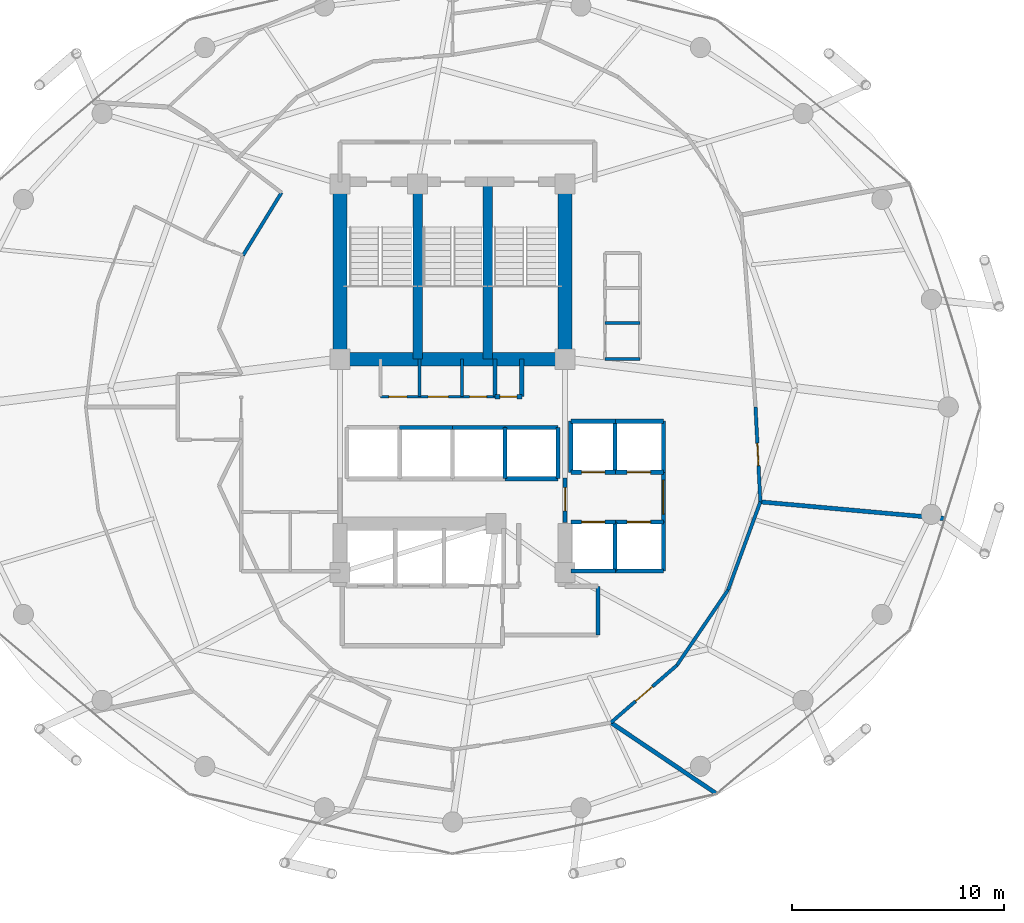
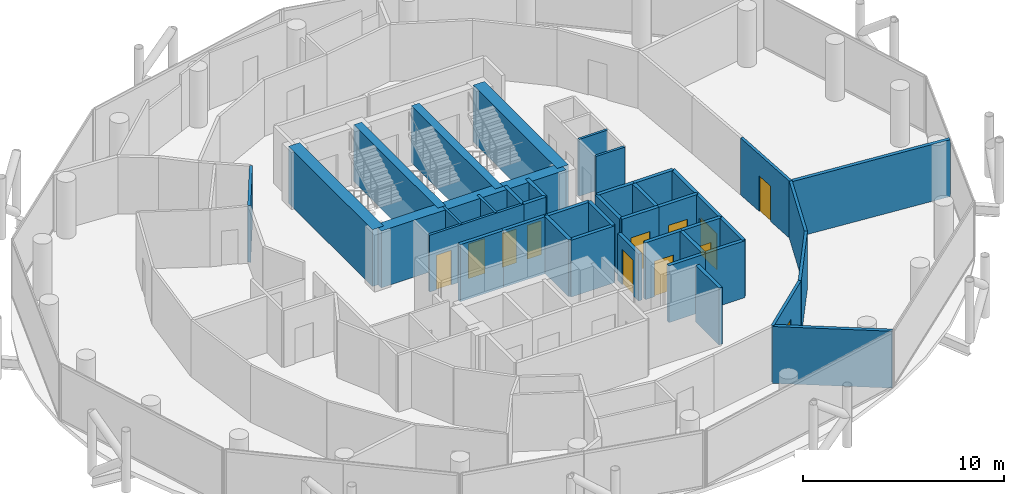
# One storey, part 23 of 26: 42 walls, 12 doors, 12 openings.
"""IFC4 building model written with IfcOpenShell, lengths in metres."""

from ifc_helpers import new_model, si_unit, direction, frame, frame_2d, origin, place, context, subcontext, project, spatial, rectangle, extrude, material, layer, layer_set, type_object, element, fill, save


model = new_model("IFC4")

# Units and contexts
model_context = context("Model", 3, precision=1e-05, world=origin(), true_north=direction((0.0, 1.0)))
body_context = subcontext(model_context, "Body", "Model", "MODEL_VIEW")
ifc_project = project(units=[si_unit("LENGTHUNIT", "METRE"), si_unit("AREAUNIT", "SQUARE_METRE"), si_unit("VOLUMEUNIT", "CUBIC_METRE"), si_unit("PLANEANGLEUNIT", "RADIAN"), si_unit("MASSUNIT", "GRAM", prefix="KILO")], contexts=[model_context])

# Site, building, storey
site_placement = place(None, origin())
site = spatial("IfcSite", under=ifc_project, at=site_placement, CompositionType="ELEMENT")
building_placement = place(site_placement, origin())
building = spatial("IfcBuilding", under=site, at=building_placement, Name="Nuhasar Tower", CompositionType="ELEMENT")
storey_placement = place(building_placement, frame((0.0, 0.0, 162.64990234375)))
storey = spatial("IfcBuildingStorey", under=building, at=storey_placement, Name="L39", CompositionType="ELEMENT", Elevation=162.64990234375)

# Walls
ifc_material_1 = material(Name="Concrete C50/60", Category="concrete")
ifc_layer_1 = layer(ifc_material_1, 0.449951171875)
ifc_layer_set_1 = layer_set([ifc_layer_1], Name="Concrete C50/60")
wall_type_1 = type_object("IfcWallType", Name="WL-CORE-450", PredefinedType="SHEAR", material=ifc_layer_set_1)
for number, where, z_axis, x_axis, name in (
    (1, (37.35009765625, 29.050048828125, 0.0), (0.0, 0.0, 1.0), (0.0, 1.0, 0.0), "L39 Stairwell Shear Wall ST01-E"),
    (2, (40.64990234375, 29.050048828125, 0.0), (0.0, 0.0, 1.0), (0.0, 1.0, 0.0), "L39 Stairwell Shear Wall ST03-E"),
):
    element("IfcWall", number, at=place(storey_placement, frame(where, z_axis=z_axis, x_axis=x_axis)), inside=storey, type_object=wall_type_1, Name=name, PredefinedType="SHEAR", context=body_context, shape_type="SweptSolid", body=[
        extrude(rectangle(XDim=8.349853515625, YDim=0.449951171875, at=frame_2d((4.1748046875, 0.0))), origin(), (0.0, 0.0, 1.0), 3.4501953125),
    ])
ifc_material_2 = material(Name="Concrete C65/80", Category="concrete")
ifc_layer_2 = layer(ifc_material_2, 0.64990234375)
ifc_layer_set_2 = layer_set([ifc_layer_2], Name="Concrete C65/80")
wall_type_2 = type_object("IfcWallType", Name="WL-CORE-650", PredefinedType="SHEAR", material=ifc_layer_set_2)
for number, where, z_axis, x_axis, name in (
    (3, (33.699951171875, 29.050048828125, 0.0), (0.0, 0.0, 1.0), (0.0, 1.0, 0.0), "L39 Core Shear Wall CW-NW CW-650"),
    (4, (44.300048828125, 29.050048828125, 0.0), (0.0, 0.0, 1.0), (0.0, 1.0, 0.0), "L39 Core Shear Wall CW-NE CW-650"),
):
    element("IfcWall", number, at=place(storey_placement, frame(where, z_axis=z_axis, x_axis=x_axis)), inside=storey, type_object=wall_type_2, Name=name, PredefinedType="SHEAR", context=body_context, shape_type="SweptSolid", body=[
        extrude(rectangle(XDim=8.349853515625, YDim=0.64990234375, at=frame_2d((4.1748046875, 0.0))), origin(), (0.0, 0.0, 1.0), 3.4501953125),
    ])
wall_1_placement = place(storey_placement, frame((33.699951171875, 29.050048828125, 0.0), z_axis=(0.0, 0.0, 1.0), x_axis=(1.0, 0.0, 0.0)))
element("IfcWall", 5, at=wall_1_placement, inside=storey, type_object=wall_type_2, Name="L39 Core Shear Wall CW-N1 CW-650", PredefinedType="SHEAR", context=body_context, shape_type="SweptSolid", body=[
    extrude(rectangle(XDim=10.60009765625, YDim=0.64990234375, at=frame_2d((5.300048828125, 0.0))), origin(), (0.0, 0.0, 1.0), 3.4501953125),
])

# Wall, opening, door
ifc_material_3 = material(Name="Gypsum Board", Category="gypsum")
ifc_layer_3 = layer(ifc_material_3, 0.159912109375)
ifc_layer_set_3 = layer_set([ifc_layer_3], Name="Gypsum Board")
wall_type_3 = type_object("IfcWallType", Name="WL-CORR-160", PredefinedType="PARTITIONING", material=ifc_layer_set_3)
wall_2_placement = place(storey_placement, frame((49.570068359375, 14.632080078125, 0.0), z_axis=(0.0, 0.0, 1.0), x_axis=(-0.754850245374, -0.6558971772, 0.0)))
wall_2 = element("IfcWall", 6, at=wall_2_placement, inside=storey, type_object=wall_type_3, Name="L39 Interior Partition CORR-40", PredefinedType="PARTITIONING", context=body_context, shape_type="SweptSolid", body=[
    extrude(rectangle(XDim=4.122802734375, YDim=0.159912109375, at=frame_2d((2.0615234375, 0.0))), origin(), (0.0, 0.0, 1.0), 3.4501953125),
])
opening_1_placement = place(wall_2_placement, frame((1.535888671875, 0.0, 0.0)))
opening_1 = element("IfcOpeningElement", 7, at=opening_1_placement, cuts=wall_2, Name="Opening DU-01", PredefinedType="OPENING", context=body_context, shape_type="SweptSolid", body=[
    extrude(rectangle(XDim=1.050048828125, YDim=2.14990234375, at=frame_2d((0.52490234375, 1.074951171875))), frame((0.0, 0.08984375, 0.0), z_axis=(0.0, -1.0, 0.0), x_axis=(1.0, 0.0, 0.0)), (0.0, 0.0, 1.0), 0.179931640625),
])
ifc_material_4 = material(Name="Timber Oak", Category="wood")
door_type_1 = type_object("IfcDoorType", Name="DR-SUITE-FD60-1050", OperationType="NOTDEFINED", PredefinedType="DOOR", material=ifc_material_4)
door_1_placement = place(opening_1_placement, origin())
door_1 = element("IfcDoor", 8, at=door_1_placement, inside=storey, type_object=door_type_1, Name="L39 Embassy Secretariat Office Entrance Door", OperationType="SINGLE_SWING_LEFT", OverallHeight=2.14990234375, OverallWidth=1.050048828125, PredefinedType="DOOR", context=body_context, shape_type="SweptSolid", body=[
    extrude(rectangle(XDim=1.050048828125, YDim=2.14990234375, at=frame_2d((0.52490234375, 1.074951171875))), frame((0.0, 0.02490234375, 0.0), z_axis=(0.0, -1.0, 0.0), x_axis=(1.0, 0.0, 0.0)), (0.0, 0.0, 1.0), 0.050048828125),
])
fill(opening_1, door_1)

# Walls
wall_3_placement = place(storey_placement, frame((49.570068359375, 14.632080078125, 0.0), z_axis=(0.0, 0.0, 1.0), x_axis=(0.561534872814, 0.827453072152, 0.0)))
element("IfcWall", 9, at=wall_3_placement, inside=storey, type_object=wall_type_3, Name="L39 Interior Partition CORR-42", PredefinedType="PARTITIONING", context=body_context, shape_type="SweptSolid", body=[
    extrude(rectangle(XDim=4.282958984375, YDim=0.159912109375, at=frame_2d((2.1416015625, 0.0))), origin(), (0.0, 0.0, 1.0), 3.4501953125),
])
wall_4_placement = place(storey_placement, frame((51.97509765625, 18.176025390625, 0.0), z_axis=(0.0, 0.0, 1.0), x_axis=(0.344374682777, 0.938832294855, 0.0)))
element("IfcWall", 10, at=wall_4_placement, inside=storey, type_object=wall_type_3, Name="L39 Interior Partition CORR-44", PredefinedType="PARTITIONING", context=body_context, shape_type="SweptSolid", body=[
    extrude(rectangle(XDim=4.42236328125, YDim=0.159912109375, at=frame_2d((2.211181640625, 0.0))), origin(), (0.0, 0.0, 1.0), 3.4501953125),
])

# Wall, opening, door
wall_5_placement = place(storey_placement, frame((53.27001953125, 26.800048828125, 0.0), z_axis=(0.0, 0.0, 1.0), x_axis=(0.050921949012, -0.998702635978, 0.0)))
wall_5 = element("IfcWall", 11, at=wall_5_placement, inside=storey, type_object=wall_type_3, Name="L39 Interior Partition CORR-46", PredefinedType="PARTITIONING", context=body_context, shape_type="SweptSolid", body=[
    extrude(rectangle(XDim=4.47802734375, YDim=0.159912109375, at=frame_2d((2.239013671875, 0.0))), origin(), (0.0, 0.0, 1.0), 3.4501953125),
])
opening_2_placement = place(wall_5_placement, frame((1.714111328125, 0.0, 0.0)))
opening_2 = element("IfcOpeningElement", 12, at=opening_2_placement, cuts=wall_5, Name="Opening DU-01", PredefinedType="OPENING", context=body_context, shape_type="SweptSolid", body=[
    extrude(rectangle(XDim=1.050048828125, YDim=2.14990234375, at=frame_2d((0.52490234375, 1.074951171875))), frame((0.0, 0.08984375, 0.0), z_axis=(0.0, -1.0, 0.0), x_axis=(1.0, 0.0, 0.0)), (0.0, 0.0, 1.0), 0.179931640625),
])
door_2_placement = place(opening_2_placement, origin())
door_2 = element("IfcDoor", 13, at=door_2_placement, inside=storey, type_object=door_type_1, Name="L39 Private Screening Cinema Entrance Door", OperationType="SINGLE_SWING_RIGHT", OverallHeight=2.14990234375, OverallWidth=1.050048828125, PredefinedType="DOOR", context=body_context, shape_type="SweptSolid", body=[
    extrude(rectangle(XDim=1.050048828125, YDim=2.14990234375, at=frame_2d((0.52490234375, 1.074951171875))), frame((0.0, 0.02490234375, 0.0), z_axis=(0.0, -1.0, 0.0), x_axis=(1.0, 0.0, 0.0)), (0.0, 0.0, 1.0), 0.050048828125),
])
fill(opening_2, door_2)

# Wall
wall_6_placement = place(storey_placement, frame((30.93896484375, 36.89697265625, 0.0), z_axis=(0.0, 0.0, 1.0), x_axis=(-0.522486120877, -0.852647789823, 0.0)))
element("IfcWall", 14, at=wall_6_placement, inside=storey, type_object=wall_type_3, Name="L39 Interior Partition HWEST-CORE-N-18", PredefinedType="PARTITIONING", context=body_context, shape_type="SweptSolid", body=[
    extrude(rectangle(XDim=3.468017578125, YDim=0.159912109375, at=frame_2d((1.73388671875, 0.0))), origin(), (0.0, 0.0, 1.0), 3.4501953125),
])

# Wall, opening, door
ifc_material_5 = material(Name="Concrete C45/55", Category="concrete")
ifc_layer_4 = layer(ifc_material_5, 0.199951171875)
ifc_layer_set_4 = layer_set([ifc_layer_4], Name="Concrete C45/55")
wall_type_4 = type_object("IfcWallType", Name="WL-LOBBY-200", PredefinedType="SOLIDWALL", material=ifc_layer_set_4)
wall_7_placement = place(storey_placement, frame((48.929931640625, 21.3798828125, 0.0), z_axis=(0.0, 0.0, 1.0), x_axis=(0.0, 1.0, 0.0)))
wall_7 = element("IfcWall", 15, at=wall_7_placement, inside=storey, type_object=wall_type_4, Name="L39 Interior Partition LLBM-E", PredefinedType="SOLIDWALL", context=body_context, shape_type="SweptSolid", body=[
    extrude(rectangle(XDim=2.340087890625, YDim=0.199951171875, at=frame_2d((1.169921875, 0.0))), origin(), (0.0, 0.0, 1.0), 3.4501953125),
])
opening_3_placement = place(wall_7_placement, frame((0.3701171875, 0.0, 0.0)))
opening_3 = element("IfcOpeningElement", 16, at=opening_3_placement, cuts=wall_7, Name="Opening DC-01", PredefinedType="OPENING", context=body_context, shape_type="SweptSolid", body=[
    extrude(rectangle(XDim=1.60009765625, YDim=2.199951171875, at=frame_2d((0.800048828125, 1.10009765625))), frame((0.0, 0.10986328125, 0.0), z_axis=(0.0, -1.0, 0.0), x_axis=(1.0, 0.0, 0.0)), (0.0, 0.0, 1.0), 0.219970703125),
])
ifc_material_6 = material(Name="Steel S355", Category="steel")
door_type_2 = type_object("IfcDoorType", Name="DR-CORR-FD60-1600", OperationType="DOUBLE_DOOR_SINGLE_SWING", PredefinedType="DOOR", material=ifc_material_6)
door_3_placement = place(opening_3_placement, origin())
door_3 = element("IfcDoor", 17, at=door_3_placement, inside=storey, type_object=door_type_2, Name="L39 Mid-Rise Lift Lobby East Entry", OperationType="DOUBLE_DOOR_SINGLE_SWING", OverallHeight=2.199951171875, OverallWidth=1.60009765625, PredefinedType="DOOR", context=body_context, shape_type="SweptSolid", body=[
    extrude(rectangle(XDim=1.60009765625, YDim=2.199951171875, at=frame_2d((0.800048828125, 1.10009765625))), frame((0.0, 0.02490234375, 0.0), z_axis=(0.0, -1.0, 0.0), x_axis=(1.0, 0.0, 0.0)), (0.0, 0.0, 1.0), 0.050048828125),
])
fill(opening_3, door_3)

wall_8_placement = place(storey_placement, frame((44.300048828125, 21.35009765625, 0.0), z_axis=(0.0, 0.0, 1.0), x_axis=(0.0, 1.0, 0.0)))
wall_8 = element("IfcWall", 18, at=wall_8_placement, inside=storey, type_object=wall_type_4, Name="L39 Interior Partition LLBH-E", PredefinedType="SOLIDWALL", context=body_context, shape_type="SweptSolid", body=[
    extrude(rectangle(XDim=2.099853515625, YDim=0.199951171875, at=frame_2d((1.0498046875, 0.0))), origin(), (0.0, 0.0, 1.0), 2.835205078125),
])
opening_4_placement = place(wall_8_placement, frame((0.550048828125, 0.0, 0.0)))
opening_4 = element("IfcOpeningElement", 19, at=opening_4_placement, cuts=wall_8, Name="Opening DS-02", PredefinedType="OPENING", context=body_context, shape_type="SweptSolid", body=[
    extrude(rectangle(XDim=1.10009765625, YDim=2.14990234375, at=frame_2d((0.550048828125, 1.074951171875))), frame((0.0, 0.10986328125, 0.0), z_axis=(0.0, -1.0, 0.0), x_axis=(1.0, 0.0, 0.0)), (0.0, 0.0, 1.0), 0.219970703125),
])
door_type_3 = type_object("IfcDoorType", Name="DR-FFL-FD120-1100", OperationType="NOTDEFINED", PredefinedType="DOOR", material=ifc_material_6)
door_4_placement = place(opening_4_placement, origin())
door_4 = element("IfcDoor", 20, at=door_4_placement, inside=storey, type_object=door_type_3, Name="L39 High-Rise Lobby East Door", OperationType="SINGLE_SWING_RIGHT", OverallHeight=2.14990234375, OverallWidth=1.10009765625, PredefinedType="DOOR", context=body_context, shape_type="SweptSolid", body=[
    extrude(rectangle(XDim=1.10009765625, YDim=2.14990234375, at=frame_2d((0.550048828125, 1.074951171875))), frame((0.0, 0.02490234375, 0.0), z_axis=(0.0, -1.0, 0.0), x_axis=(1.0, 0.0, 0.0)), (0.0, 0.0, 1.0), 0.050048828125),
])
fill(opening_4, door_4)

# Walls
wall_9_placement = place(storey_placement, frame((45.85009765625, 16.050048828125, 0.0), z_axis=(0.0, 0.0, 1.0), x_axis=(0.0, 1.0, 0.0)))
element("IfcWall", 21, at=wall_9_placement, inside=storey, type_object=wall_type_4, Name="L39 Interior Partition SVLV-E", PredefinedType="SOLIDWALL", context=body_context, shape_type="SweptSolid", body=[
    extrude(rectangle(XDim=2.300048828125, YDim=0.199951171875, at=frame_2d((1.14990234375, 0.0))), origin(), (0.0, 0.0, 1.0), 3.4501953125),
])
ifc_layer_5 = layer(ifc_material_5, 0.199951171875)
ifc_layer_set_5 = layer_set([ifc_layer_5], Name="Concrete C45/55")
wall_type_5 = type_object("IfcWallType", Name="WL-SHAFT-200", PredefinedType="SOLIDWALL", material=ifc_layer_set_5)
for number, where, z_axis, x_axis, name in (
    (22, (41.0, 27.280029296875, 0.0), (0.0, 0.0, 1.0), (0.0, 1.0, 0.0), "L39 Interior Partition RSRN-W"),
    (23, (42.260009765625, 27.280029296875, 0.0), (0.0, 0.0, 1.0), (0.0, 1.0, 0.0), "L39 Interior Partition RSRN-E"),
):
    element("IfcWall", number, at=place(storey_placement, frame(where, z_axis=z_axis, x_axis=x_axis)), inside=storey, type_object=wall_type_5, Name=name, PredefinedType="SOLIDWALL", context=body_context, shape_type="SweptSolid", body=[
        extrude(rectangle(XDim=1.77001953125, YDim=0.199951171875, at=frame_2d((0.885009765625, 0.0))), origin(), (0.0, 0.0, 1.0), 3.4501953125),
    ])

# Wall, opening, door
wall_10_placement = place(storey_placement, frame((41.0, 27.280029296875, 0.0), z_axis=(0.0, 0.0, 1.0), x_axis=(1.0, 0.0, 0.0)))
wall_10 = element("IfcWall", 24, at=wall_10_placement, inside=storey, type_object=wall_type_5, Name="L39 Interior Partition RSRN-S", PredefinedType="SOLIDWALL", context=body_context, shape_type="SweptSolid", body=[
    extrude(rectangle(XDim=1.260009765625, YDim=0.199951171875, at=frame_2d((0.6298828125, 0.0))), origin(), (0.0, 0.0, 1.0), 3.4501953125),
])
opening_5_placement = place(wall_10_placement, frame((0.22998046875, 0.0, 0.0)))
opening_5 = element("IfcOpeningElement", 25, at=opening_5_placement, cuts=wall_10, Name="Opening DM-01", PredefinedType="OPENING", context=body_context, shape_type="SweptSolid", body=[
    extrude(rectangle(XDim=0.800048828125, YDim=2.050048828125, at=frame_2d((0.39990234375, 1.02490234375))), frame((0.0, 0.10986328125, 0.0), z_axis=(0.0, -1.0, 0.0), x_axis=(1.0, 0.0, 0.0)), (0.0, 0.0, 1.0), 0.219970703125),
])
door_type_4 = type_object("IfcDoorType", Name="DR-RISER-FD60-800", OperationType="NOTDEFINED", PredefinedType="DOOR", material=ifc_material_6)
door_5_placement = place(opening_5_placement, origin())
door_5 = element("IfcDoor", 26, at=door_5_placement, inside=storey, type_object=door_type_4, Name="L39 North Smoke Riser Door", OperationType="SINGLE_SWING_RIGHT", OverallHeight=2.050048828125, OverallWidth=0.800048828125, PredefinedType="DOOR", context=body_context, shape_type="SweptSolid", body=[
    extrude(rectangle(XDim=0.800048828125, YDim=2.050048828125, at=frame_2d((0.39990234375, 1.02490234375))), frame((0.0, 0.02490234375, 0.0), z_axis=(0.0, -1.0, 0.0), x_axis=(1.0, 0.0, 0.0)), (0.0, 0.0, 1.0), 0.050048828125),
])
fill(opening_5, door_5)

wall_11_placement = place(storey_placement, frame((44.570068359375, 23.719970703125, 0.0), z_axis=(0.0, 0.0, 1.0), x_axis=(1.0, 0.0, 0.0)))
wall_11 = element("IfcWall", 27, at=wall_11_placement, inside=storey, type_object=wall_type_5, Name="L39 Interior Partition SHF-PL-M01-S", PredefinedType="SOLIDWALL", context=body_context, shape_type="SweptSolid", body=[
    extrude(rectangle(XDim=2.10986328125, YDim=0.199951171875, at=frame_2d((1.054931640625, 0.0))), origin(), (0.0, 0.0, 1.0), 3.4501953125),
])
opening_6_placement = place(wall_11_placement, frame((0.5048828125, 0.0, 0.0)))
opening_6 = element("IfcOpeningElement", 28, at=opening_6_placement, cuts=wall_11, Name="Opening LD-M01", PredefinedType="OPENING", context=body_context, shape_type="SweptSolid", body=[
    extrude(rectangle(XDim=1.10009765625, YDim=2.14990234375, at=frame_2d((0.550048828125, 1.074951171875))), frame((0.0, 0.10986328125, 0.0), z_axis=(0.0, -1.0, 0.0), x_axis=(1.0, 0.0, 0.0)), (0.0, 0.0, 1.0), 0.219970703125),
])
ifc_material_7 = material(Name="Stainless Steel 316L", Category="steel")
door_type_5 = type_object("IfcDoorType", Name="LD-PAX-1100", OperationType="DOUBLE_DOOR_SLIDING", PredefinedType="DOOR", material=ifc_material_7)
door_6_placement = place(opening_6_placement, origin())
door_6 = element("IfcDoor", 29, at=door_6_placement, inside=storey, type_object=door_type_5, Name="L39 Lift Landing Door PL-M01", OperationType="DOUBLE_DOOR_SLIDING", OverallHeight=2.14990234375, OverallWidth=1.10009765625, PredefinedType="DOOR", context=body_context, shape_type="SweptSolid", body=[
    extrude(rectangle(XDim=1.10009765625, YDim=2.14990234375, at=frame_2d((0.550048828125, 1.074951171875))), frame((0.0, 0.02490234375, 0.0), z_axis=(0.0, -1.0, 0.0), x_axis=(1.0, 0.0, 0.0)), (0.0, 0.0, 1.0), 0.050048828125),
])
fill(opening_6, door_6)

# Walls
wall_12_placement = place(storey_placement, frame((44.570068359375, 26.1298828125, 0.0), z_axis=(0.0, 0.0, 1.0), x_axis=(1.0, 0.0, 0.0)))
element("IfcWall", 30, at=wall_12_placement, inside=storey, type_object=wall_type_5, Name="L39 Interior Partition SHF-PL-M01-N", PredefinedType="SOLIDWALL", context=body_context, shape_type="SweptSolid", body=[
    extrude(rectangle(XDim=2.10986328125, YDim=0.199951171875, at=frame_2d((1.054931640625, 0.0))), origin(), (0.0, 0.0, 1.0), 3.4501953125),
])
for number, where, z_axis, x_axis, name in (
    (31, (44.570068359375, 23.719970703125, 0.0), (0.0, 0.0, 1.0), (0.0, 1.0, 0.0), "L39 Interior Partition SHF-PL-M01-W"),
    (32, (46.64990234375, 23.719970703125, 0.0), (0.0, 0.0, 1.0), (0.0, 1.0, 0.0), "L39 Interior Partition SHF-PL-M01-E"),
):
    element("IfcWall", number, at=place(storey_placement, frame(where, z_axis=z_axis, x_axis=x_axis)), inside=storey, type_object=wall_type_5, Name=name, PredefinedType="SOLIDWALL", context=body_context, shape_type="SweptSolid", body=[
        extrude(rectangle(XDim=2.409912109375, YDim=0.199951171875, at=frame_2d((1.205078125, 0.0))), origin(), (0.0, 0.0, 1.0), 3.4501953125),
    ])

# Wall, opening, door
wall_13_placement = place(storey_placement, frame((46.6201171875, 23.719970703125, 0.0), z_axis=(0.0, 0.0, 1.0), x_axis=(1.0, 0.0, 0.0)))
wall_13 = element("IfcWall", 33, at=wall_13_placement, inside=storey, type_object=wall_type_5, Name="L39 Interior Partition SHF-PL-M02-S", PredefinedType="SOLIDWALL", context=body_context, shape_type="SweptSolid", body=[
    extrude(rectangle(XDim=2.309814453125, YDim=0.199951171875, at=frame_2d((1.15478515625, 0.0))), origin(), (0.0, 0.0, 1.0), 3.4501953125),
])
opening_7_placement = place(wall_13_placement, frame((0.60498046875, 0.0, 0.0)))
opening_7 = element("IfcOpeningElement", 34, at=opening_7_placement, cuts=wall_13, Name="Opening LD-M02", PredefinedType="OPENING", context=body_context, shape_type="SweptSolid", body=[
    extrude(rectangle(XDim=1.10009765625, YDim=2.14990234375, at=frame_2d((0.550048828125, 1.074951171875))), frame((0.0, 0.10986328125, 0.0), z_axis=(0.0, -1.0, 0.0), x_axis=(1.0, 0.0, 0.0)), (0.0, 0.0, 1.0), 0.219970703125),
])
door_7_placement = place(opening_7_placement, origin())
door_7 = element("IfcDoor", 35, at=door_7_placement, inside=storey, type_object=door_type_5, Name="L39 Lift Landing Door PL-M02", OperationType="DOUBLE_DOOR_SLIDING", OverallHeight=2.14990234375, OverallWidth=1.10009765625, PredefinedType="DOOR", context=body_context, shape_type="SweptSolid", body=[
    extrude(rectangle(XDim=1.10009765625, YDim=2.14990234375, at=frame_2d((0.550048828125, 1.074951171875))), frame((0.0, 0.02490234375, 0.0), z_axis=(0.0, -1.0, 0.0), x_axis=(1.0, 0.0, 0.0)), (0.0, 0.0, 1.0), 0.050048828125),
])
fill(opening_7, door_7)

# Walls
wall_14_placement = place(storey_placement, frame((46.6201171875, 26.1298828125, 0.0), z_axis=(0.0, 0.0, 1.0), x_axis=(1.0, 0.0, 0.0)))
element("IfcWall", 36, at=wall_14_placement, inside=storey, type_object=wall_type_5, Name="L39 Interior Partition SHF-PL-M02-N", PredefinedType="SOLIDWALL", context=body_context, shape_type="SweptSolid", body=[
    extrude(rectangle(XDim=2.309814453125, YDim=0.199951171875, at=frame_2d((1.15478515625, 0.0))), origin(), (0.0, 0.0, 1.0), 3.4501953125),
])
wall_15_placement = place(storey_placement, frame((48.929931640625, 23.719970703125, 0.0), z_axis=(0.0, 0.0, 1.0), x_axis=(0.0, 1.0, 0.0)))
element("IfcWall", 37, at=wall_15_placement, inside=storey, type_object=wall_type_5, Name="L39 Interior Partition SHF-PL-M02-E", PredefinedType="SOLIDWALL", context=body_context, shape_type="SweptSolid", body=[
    extrude(rectangle(XDim=2.409912109375, YDim=0.199951171875, at=frame_2d((1.205078125, 0.0))), origin(), (0.0, 0.0, 1.0), 3.4501953125),
])
wall_16_placement = place(storey_placement, frame((44.570068359375, 19.070068359375, 0.0), z_axis=(0.0, 0.0, 1.0), x_axis=(1.0, 0.0, 0.0)))
element("IfcWall", 38, at=wall_16_placement, inside=storey, type_object=wall_type_5, Name="L39 Interior Partition SHF-PL-M03-S", PredefinedType="SOLIDWALL", context=body_context, shape_type="SweptSolid", body=[
    extrude(rectangle(XDim=2.10986328125, YDim=0.199951171875, at=frame_2d((1.054931640625, 0.0))), origin(), (0.0, 0.0, 1.0), 3.4501953125),
])

# Wall, opening, door
wall_17_placement = place(storey_placement, frame((44.570068359375, 21.3798828125, 0.0), z_axis=(0.0, 0.0, 1.0), x_axis=(1.0, 0.0, 0.0)))
wall_17 = element("IfcWall", 39, at=wall_17_placement, inside=storey, type_object=wall_type_5, Name="L39 Interior Partition SHF-PL-M03-N", PredefinedType="SOLIDWALL", context=body_context, shape_type="SweptSolid", body=[
    extrude(rectangle(XDim=2.10986328125, YDim=0.199951171875, at=frame_2d((1.054931640625, 0.0))), origin(), (0.0, 0.0, 1.0), 3.4501953125),
])
opening_8_placement = place(wall_17_placement, frame((0.5048828125, 0.0, 0.0)))
opening_8 = element("IfcOpeningElement", 40, at=opening_8_placement, cuts=wall_17, Name="Opening LD-M03", PredefinedType="OPENING", context=body_context, shape_type="SweptSolid", body=[
    extrude(rectangle(XDim=1.10009765625, YDim=2.14990234375, at=frame_2d((0.550048828125, 1.074951171875))), frame((0.0, 0.10986328125, 0.0), z_axis=(0.0, -1.0, 0.0), x_axis=(1.0, 0.0, 0.0)), (0.0, 0.0, 1.0), 0.219970703125),
])
door_8_placement = place(opening_8_placement, origin())
door_8 = element("IfcDoor", 41, at=door_8_placement, inside=storey, type_object=door_type_5, Name="L39 Lift Landing Door PL-M03", OperationType="DOUBLE_DOOR_SLIDING", OverallHeight=2.14990234375, OverallWidth=1.10009765625, PredefinedType="DOOR", context=body_context, shape_type="SweptSolid", body=[
    extrude(rectangle(XDim=1.10009765625, YDim=2.14990234375, at=frame_2d((0.550048828125, 1.074951171875))), frame((0.0, 0.02490234375, 0.0), z_axis=(0.0, -1.0, 0.0), x_axis=(1.0, 0.0, 0.0)), (0.0, 0.0, 1.0), 0.050048828125),
])
fill(opening_8, door_8)

# Walls
for number, where, z_axis, x_axis, name in (
    (42, (46.64990234375, 19.070068359375, 0.0), (0.0, 0.0, 1.0), (0.0, 1.0, 0.0), "L39 Interior Partition SHF-PL-M03-E"),
    (43, (46.6201171875, 19.070068359375, 0.0), (0.0, 0.0, 1.0), (1.0, 0.0, 0.0), "L39 Interior Partition SHF-PL-M04-S"),
):
    element("IfcWall", number, at=place(storey_placement, frame(where, z_axis=z_axis, x_axis=x_axis)), inside=storey, type_object=wall_type_5, Name=name, PredefinedType="SOLIDWALL", context=body_context, shape_type="SweptSolid", body=[
        extrude(rectangle(XDim=2.309814453125, YDim=0.199951171875, at=frame_2d((1.15478515625, 0.0))), origin(), (0.0, 0.0, 1.0), 3.4501953125),
    ])

# Wall, opening, door
wall_18_placement = place(storey_placement, frame((46.6201171875, 21.3798828125, 0.0), z_axis=(0.0, 0.0, 1.0), x_axis=(1.0, 0.0, 0.0)))
wall_18 = element("IfcWall", 44, at=wall_18_placement, inside=storey, type_object=wall_type_5, Name="L39 Interior Partition SHF-PL-M04-N", PredefinedType="SOLIDWALL", context=body_context, shape_type="SweptSolid", body=[
    extrude(rectangle(XDim=2.309814453125, YDim=0.199951171875, at=frame_2d((1.15478515625, 0.0))), origin(), (0.0, 0.0, 1.0), 3.4501953125),
])
opening_9_placement = place(wall_18_placement, frame((0.60498046875, 0.0, 0.0)))
opening_9 = element("IfcOpeningElement", 45, at=opening_9_placement, cuts=wall_18, Name="Opening LD-M04", PredefinedType="OPENING", context=body_context, shape_type="SweptSolid", body=[
    extrude(rectangle(XDim=1.10009765625, YDim=2.14990234375, at=frame_2d((0.550048828125, 1.074951171875))), frame((0.0, 0.10986328125, 0.0), z_axis=(0.0, -1.0, 0.0), x_axis=(1.0, 0.0, 0.0)), (0.0, 0.0, 1.0), 0.219970703125),
])
door_9_placement = place(opening_9_placement, origin())
door_9 = element("IfcDoor", 46, at=door_9_placement, inside=storey, type_object=door_type_5, Name="L39 Lift Landing Door PL-M04", OperationType="DOUBLE_DOOR_SLIDING", OverallHeight=2.14990234375, OverallWidth=1.10009765625, PredefinedType="DOOR", context=body_context, shape_type="SweptSolid", body=[
    extrude(rectangle(XDim=1.10009765625, YDim=2.14990234375, at=frame_2d((0.550048828125, 1.074951171875))), frame((0.0, 0.02490234375, 0.0), z_axis=(0.0, -1.0, 0.0), x_axis=(1.0, 0.0, 0.0)), (0.0, 0.0, 1.0), 0.050048828125),
])
fill(opening_9, door_9)

# Walls
wall_19_placement = place(storey_placement, frame((48.929931640625, 19.070068359375, 0.0), z_axis=(0.0, 0.0, 1.0), x_axis=(0.0, 1.0, 0.0)))
element("IfcWall", 47, at=wall_19_placement, inside=storey, type_object=wall_type_5, Name="L39 Interior Partition SHF-PL-M04-E", PredefinedType="SOLIDWALL", context=body_context, shape_type="SweptSolid", body=[
    extrude(rectangle(XDim=2.309814453125, YDim=0.199951171875, at=frame_2d((1.15478515625, 0.0))), origin(), (0.0, 0.0, 1.0), 3.4501953125),
])
for number, where, z_axis, x_axis, name in (
    (48, (36.5, 25.830078125, 0.0), (0.0, 0.0, 1.0), (1.0, 0.0, 0.0), "L39 Interior Partition SHF-PL-H02-N"),
    (49, (38.97998046875, 25.830078125, 0.0), (0.0, 0.0, 1.0), (1.0, 0.0, 0.0), "L39 Interior Partition SHF-PL-H03-N"),
):
    element("IfcWall", number, at=place(storey_placement, frame(where, z_axis=z_axis, x_axis=x_axis)), inside=storey, type_object=wall_type_5, Name=name, PredefinedType="SOLIDWALL", context=body_context, shape_type="SweptSolid", body=[
        extrude(rectangle(XDim=2.5, YDim=0.199951171875, at=frame_2d((1.25, 0.0))), origin(), (0.0, 0.0, 1.0), 3.4501953125),
    ])
wall_20_placement = place(storey_placement, frame((41.469970703125, 23.419921875, 0.0), z_axis=(0.0, 0.0, 1.0), x_axis=(0.0, 1.0, 0.0)))
element("IfcWall", 50, at=wall_20_placement, inside=storey, type_object=wall_type_5, Name="L39 Interior Partition SHF-PL-H03-E", PredefinedType="SOLIDWALL", context=body_context, shape_type="SweptSolid", body=[
    extrude(rectangle(XDim=2.41015625, YDim=0.199951171875, at=frame_2d((1.205078125, 0.0))), origin(), (0.0, 0.0, 1.0), 3.4501953125),
])
for number, where, z_axis, x_axis, name in (
    (51, (41.4599609375, 23.419921875, 0.0), (0.0, 0.0, 1.0), (1.0, 0.0, 0.0), "L39 Interior Partition SHF-PL-H04-S"),
    (52, (41.4599609375, 25.830078125, 0.0), (0.0, 0.0, 1.0), (1.0, 0.0, 0.0), "L39 Interior Partition SHF-PL-H04-N"),
):
    element("IfcWall", number, at=place(storey_placement, frame(where, z_axis=z_axis, x_axis=x_axis)), inside=storey, type_object=wall_type_5, Name=name, PredefinedType="SOLIDWALL", context=body_context, shape_type="SweptSolid", body=[
        extrude(rectangle(XDim=2.5, YDim=0.199951171875, at=frame_2d((1.25, 0.0))), origin(), (0.0, 0.0, 1.0), 3.4501953125),
    ])
wall_21_placement = place(storey_placement, frame((43.9599609375, 23.419921875, 0.0), z_axis=(0.0, 0.0, 1.0), x_axis=(0.0, 1.0, 0.0)))
element("IfcWall", 53, at=wall_21_placement, inside=storey, type_object=wall_type_5, Name="L39 Interior Partition SHF-PL-H04-E", PredefinedType="SOLIDWALL", context=body_context, shape_type="SweptSolid", body=[
    extrude(rectangle(XDim=2.41015625, YDim=0.199951171875, at=frame_2d((1.205078125, 0.0))), origin(), (0.0, 0.0, 1.0), 3.4501953125),
])
ifc_material_8 = material(Name="Concrete C40/50 precast", Category="concrete")
ifc_layer_6 = layer(ifc_material_8, 0.199951171875)
ifc_layer_set_6 = layer_set([ifc_layer_6], Name="Concrete C40/50 precast")
wall_type_6 = type_object("IfcWallType", Name="WL-UNIT-200", PredefinedType="PARTITIONING", material=ifc_layer_set_6)
wall_22_placement = place(storey_placement, frame((46.4580078125, 11.927978515625, 0.0), z_axis=(0.0, 0.0, 1.0), x_axis=(0.829526575928, -0.5584672415, 0.0)))
element("IfcWall", 54, at=wall_22_placement, inside=storey, type_object=wall_type_6, Name="L39 Interior Partition HRAD-40", PredefinedType="PARTITIONING", context=body_context, shape_type="SweptSolid", body=[
    extrude(rectangle(XDim=5.973388671875, YDim=0.199951171875, at=frame_2d((2.98681640625, 0.0))), origin(), (0.0, 0.0, 1.0), 3.4501953125),
])
wall_23_placement = place(storey_placement, frame((53.498046875, 22.327880859375, 0.0), z_axis=(0.0, 0.0, 1.0), x_axis=(0.99593153215, -0.090113169233, 0.0)))
element("IfcWall", 55, at=wall_23_placement, inside=storey, type_object=wall_type_6, Name="L39 Interior Partition HRAD-46", PredefinedType="PARTITIONING", context=body_context, shape_type="SweptSolid", body=[
    extrude(rectangle(XDim=8.699462890625, YDim=0.199951171875, at=frame_2d((4.349609375, 0.0))), origin(), (0.0, 0.0, 1.0), 3.4501953125),
])

# Wall, openings, doors
ifc_layer_7 = layer(ifc_material_8, 0.139892578125)
ifc_layer_set_7 = layer_set([ifc_layer_7], Name="Concrete C40/50 precast")
wall_type_7 = type_object("IfcWallType", Name="WL-WET-140", PredefinedType="PARTITIONING", material=ifc_layer_set_7)
wall_24_placement = place(storey_placement, frame((35.60009765625, 27.280029296875, 0.0), z_axis=(0.0, 0.0, 1.0), x_axis=(1.0, 0.0, 0.0)))
wall_24 = element("IfcWall", 56, at=wall_24_placement, inside=storey, type_object=wall_type_7, Name="L39 Interior Partition CSVC-S", PredefinedType="PARTITIONING", context=body_context, shape_type="SweptSolid", body=[
    extrude(rectangle(XDim=5.39990234375, YDim=0.139892578125, at=frame_2d((2.699951171875, 0.0))), origin(), (0.0, 0.0, 1.0), 3.4501953125),
])
opening_10_placement = place(wall_24_placement, frame((0.39990234375, 0.0, 0.0)))
opening_10 = element("IfcOpeningElement", 57, at=opening_10_placement, cuts=wall_24, Name="Opening DB-01", PredefinedType="OPENING", context=body_context, shape_type="SweptSolid", body=[
    extrude(rectangle(XDim=0.85009765625, YDim=2.10009765625, at=frame_2d((0.425048828125, 1.050048828125))), frame((0.0, 0.080078125, 0.0), z_axis=(0.0, -1.0, 0.0), x_axis=(1.0, 0.0, 0.0)), (0.0, 0.0, 1.0), 0.159912109375),
])
opening_11_placement = place(wall_24_placement, frame((2.25, 0.0, 0.0)))
opening_11 = element("IfcOpeningElement", 58, at=opening_11_placement, cuts=wall_24, Name="Opening DA-01", PredefinedType="OPENING", context=body_context, shape_type="SweptSolid", body=[
    extrude(rectangle(XDim=0.949951171875, YDim=2.10009765625, at=frame_2d((0.47509765625, 1.050048828125))), frame((0.0, 0.080078125, 0.0), z_axis=(0.0, -1.0, 0.0), x_axis=(1.0, 0.0, 0.0)), (0.0, 0.0, 1.0), 0.159912109375),
])
opening_12_placement = place(wall_24_placement, frame((4.199951171875, 0.0, 0.0)))
opening_12 = element("IfcOpeningElement", 59, at=opening_12_placement, cuts=wall_24, Name="Opening DM-01", PredefinedType="OPENING", context=body_context, shape_type="SweptSolid", body=[
    extrude(rectangle(XDim=0.800048828125, YDim=2.050048828125, at=frame_2d((0.39990234375, 1.02490234375))), frame((0.0, 0.080078125, 0.0), z_axis=(0.0, -1.0, 0.0), x_axis=(1.0, 0.0, 0.0)), (0.0, 0.0, 1.0), 0.159912109375),
])
door_type_6 = type_object("IfcDoorType", Name="DR-ACCWC-950", OperationType="NOTDEFINED", PredefinedType="DOOR", material=ifc_material_4)
door_10_placement = place(opening_11_placement, origin())
door_10 = element("IfcDoor", 60, at=door_10_placement, inside=storey, type_object=door_type_6, Name="L39 Core Accessible WC Door", OperationType="SINGLE_SWING_RIGHT", OverallHeight=2.10009765625, OverallWidth=0.949951171875, PredefinedType="DOOR", context=body_context, shape_type="SweptSolid", body=[
    extrude(rectangle(XDim=0.949951171875, YDim=2.10009765625, at=frame_2d((0.47509765625, 1.050048828125))), frame((0.0, 0.02490234375, 0.0), z_axis=(0.0, -1.0, 0.0), x_axis=(1.0, 0.0, 0.0)), (0.0, 0.0, 1.0), 0.050048828125),
])
fill(opening_11, door_10)
door_type_7 = type_object("IfcDoorType", Name="DR-BATH-850", OperationType="NOTDEFINED", PredefinedType="DOOR", material=ifc_material_4)
door_11_placement = place(opening_10_placement, origin())
door_11 = element("IfcDoor", 61, at=door_11_placement, inside=storey, type_object=door_type_7, Name="L39 Core Male WC Door", OperationType="SINGLE_SWING_LEFT", OverallHeight=2.10009765625, OverallWidth=0.85009765625, PredefinedType="DOOR", context=body_context, shape_type="SweptSolid", body=[
    extrude(rectangle(XDim=0.85009765625, YDim=2.10009765625, at=frame_2d((0.425048828125, 1.050048828125))), frame((0.0, 0.02490234375, 0.0), z_axis=(0.0, -1.0, 0.0), x_axis=(1.0, 0.0, 0.0)), (0.0, 0.0, 1.0), 0.050048828125),
])
fill(opening_10, door_11)
door_12_placement = place(opening_12_placement, origin())
door_12 = element("IfcDoor", 62, at=door_12_placement, inside=storey, type_object=door_type_4, Name="L39 Core Janitor Door", OperationType="SINGLE_SWING_RIGHT", OverallHeight=2.050048828125, OverallWidth=0.800048828125, PredefinedType="DOOR", context=body_context, shape_type="SweptSolid", body=[
    extrude(rectangle(XDim=0.800048828125, YDim=2.050048828125, at=frame_2d((0.39990234375, 1.02490234375))), frame((0.0, 0.02490234375, 0.0), z_axis=(0.0, -1.0, 0.0), x_axis=(1.0, 0.0, 0.0)), (0.0, 0.0, 1.0), 0.050048828125),
])
fill(opening_12, door_12)

# Walls
for number, where, z_axis, x_axis, name in (
    (63, (37.449951171875, 27.280029296875, 0.0), (0.0, 0.0, 1.0), (0.0, 1.0, 0.0), "L39 Interior Partition K1-P1"),
    (64, (39.449951171875, 27.280029296875, 0.0), (0.0, 0.0, 1.0), (0.0, 1.0, 0.0), "L39 Interior Partition K1-P2"),
):
    element("IfcWall", number, at=place(storey_placement, frame(where, z_axis=z_axis, x_axis=x_axis)), inside=storey, type_object=wall_type_7, Name=name, PredefinedType="PARTITIONING", context=body_context, shape_type="SweptSolid", body=[
        extrude(rectangle(XDim=1.77001953125, YDim=0.139892578125, at=frame_2d((0.885009765625, 0.0))), origin(), (0.0, 0.0, 1.0), 3.4501953125),
    ])
for number, where, z_axis, x_axis, name in (
    (65, (46.179931640625, 29.050048828125, 0.0), (0.0, 0.0, 1.0), (1.0, 0.0, 0.0), "L39 Interior Partition K1-NE-S"),
    (66, (46.179931640625, 30.75, 0.0), (0.0, 0.0, 1.0), (1.0, 0.0, 0.0), "L39 Interior Partition K1-NE-M1"),
):
    element("IfcWall", number, at=place(storey_placement, frame(where, z_axis=z_axis, x_axis=x_axis)), inside=storey, type_object=wall_type_7, Name=name, PredefinedType="PARTITIONING", context=body_context, shape_type="SweptSolid", body=[
        extrude(rectangle(XDim=1.64013671875, YDim=0.139892578125, at=frame_2d((0.820068359375, 0.0))), origin(), (0.0, 0.0, 1.0), 3.4501953125),
    ])

save(model, "model.ifc")
